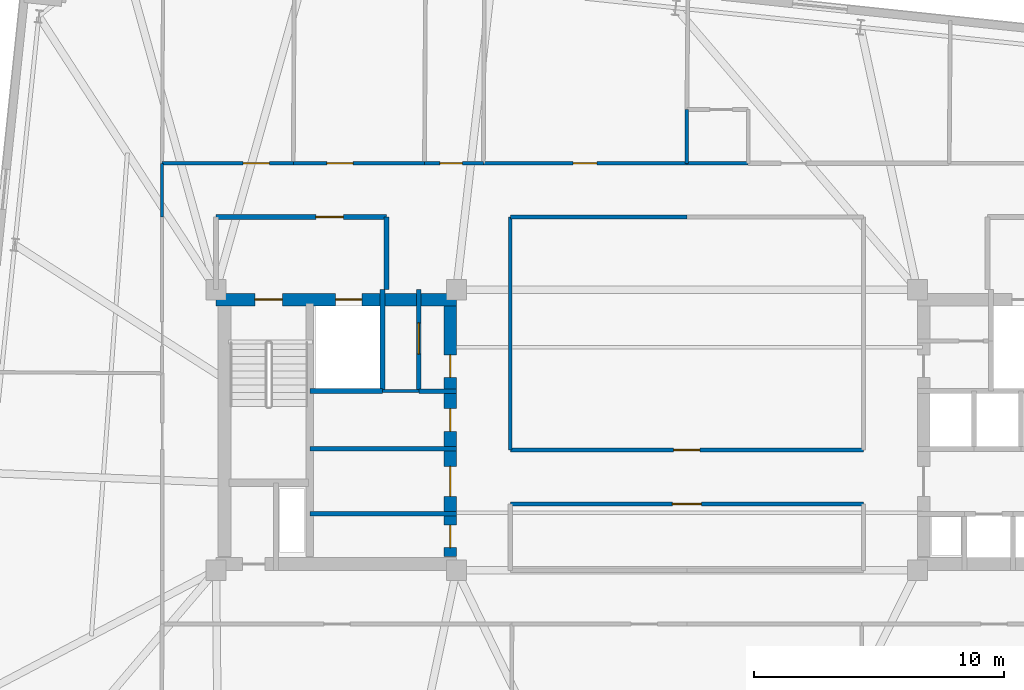
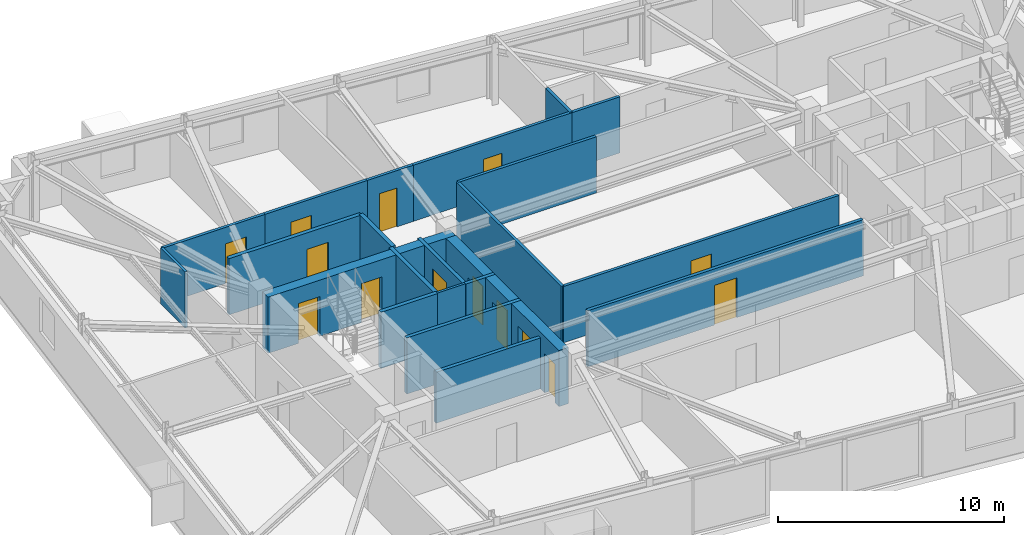
# One storey, part 8 of 13: 22 walls, 14 doors, 14 openings.
"""IFC4 building model written with IfcOpenShell, lengths in metres."""

from ifc_helpers import new_model, si_unit, direction, frame, frame_2d, origin, place, context, subcontext, project, spatial, rectangle, extrude, material, layer, layer_set, type_object, element, fill, save


model = new_model("IFC4")

# Units and contexts
model_context = context("Model", 3, precision=1e-05, world=origin(), true_north=direction((0.0, 1.0)))
body_context = subcontext(model_context, "Body", "Model", "MODEL_VIEW")
ifc_project = project(units=[si_unit("LENGTHUNIT", "METRE"), si_unit("AREAUNIT", "SQUARE_METRE"), si_unit("VOLUMEUNIT", "CUBIC_METRE"), si_unit("PLANEANGLEUNIT", "RADIAN"), si_unit("MASSUNIT", "GRAM", prefix="KILO")], contexts=[model_context])

# Site, building, storey
site_placement = place(None, origin())
site = spatial("IfcSite", under=ifc_project, at=site_placement, CompositionType="ELEMENT")
building_placement = place(site_placement, origin())
building = spatial("IfcBuilding", under=site, at=building_placement, Name="Qobustan Lattice House", CompositionType="ELEMENT")
storey_placement = place(building_placement, frame((0.0, 0.0, 196.39990234375)))
storey = spatial("IfcBuildingStorey", under=building, at=storey_placement, Name="L55", CompositionType="ELEMENT", Elevation=196.39990234375)

# Wall, openings, doors
ifc_material_1 = material(Name="Concrete C50/60", Category="concrete")
ifc_layer_1 = layer(ifc_material_1, 0.5)
ifc_layer_set_1 = layer_set([ifc_layer_1], Name="Concrete C50/60")
wall_type_1 = type_object("IfcWallType", Name="WAL-CORE-500", PredefinedType="SHEAR", material=ifc_layer_set_1)
wall_1_placement = place(storey_placement, frame((-18.800048828125, 5.2099609375, 0.0), z_axis=(0.0, 0.0, 1.0), x_axis=(1.0, 0.0, 0.0)))
wall_1 = element("IfcWall", 1, at=wall_1_placement, inside=storey, type_object=wall_type_1, Name="L55 split-core shear wall CW-N", PredefinedType="SHEAR", context=body_context, shape_type="SweptSolid", body=[
    extrude(rectangle(XDim=9.60009765625, YDim=0.5, at=frame_2d((4.800048828125, 0.0))), origin(), (0.0, 0.0, 1.0), 3.0400390625),
])
opening_1_placement = place(wall_1_placement, frame((1.550048828125, 0.0, 0.0)))
opening_1 = element("IfcOpeningElement", 2, at=opening_1_placement, cuts=wall_1, Name="Opening SD-01", PredefinedType="OPENING", context=body_context, shape_type="SweptSolid", body=[
    extrude(rectangle(XDim=1.10009765625, YDim=2.14990234375, at=frame_2d((0.550048828125, 1.074951171875))), frame((0.0, 0.260009765625, 0.0), z_axis=(0.0, -1.0, 0.0), x_axis=(1.0, 0.0, 0.0)), (0.0, 0.0, 1.0), 0.52001953125),
])
opening_2_placement = place(wall_1_placement, frame((4.77490234375, 0.0, 0.0)))
opening_2 = element("IfcOpeningElement", 3, at=opening_2_placement, cuts=wall_1, Name="Opening LD-01", PredefinedType="OPENING", context=body_context, shape_type="SweptSolid", body=[
    extrude(rectangle(XDim=1.050048828125, YDim=2.10009765625, at=frame_2d((0.52490234375, 1.050048828125))), frame((0.0, 0.260009765625, 0.0), z_axis=(0.0, -1.0, 0.0), x_axis=(1.0, 0.0, 0.0)), (0.0, 0.0, 1.0), 0.52001953125),
])
ifc_material_2 = material(Name="Persian walnut timber and steel frame door", Category="steel")
door_type_1 = type_object("IfcDoorType", Name="DOR-LIFT-LD-1050x2100", OperationType="NOTDEFINED", PredefinedType="DOOR", material=ifc_material_2)
door_1_placement = place(opening_2_placement, origin())
door_1 = element("IfcDoor", 4, at=door_1_placement, inside=storey, type_object=door_type_1, Name="L55 firefighting lift FF-W landing door", OperationType="DOUBLE_DOOR_SLIDING", OverallHeight=2.10009765625, OverallWidth=1.050048828125, PredefinedType="DOOR", context=body_context, shape_type="SweptSolid", body=[
    extrude(rectangle(XDim=1.050048828125, YDim=2.10009765625, at=frame_2d((0.52490234375, 1.050048828125))), frame((0.0, 0.02490234375, 0.0), z_axis=(0.0, -1.0, 0.0), x_axis=(1.0, 0.0, 0.0)), (0.0, 0.0, 1.0), 0.050048828125),
])
fill(opening_2, door_1)
ifc_material_3 = material(Name="Persian walnut timber and steel frame door", Category="steel")
door_type_2 = type_object("IfcDoorType", Name="DOR-STAIR-FD-1100x2150", OperationType="NOTDEFINED", PredefinedType="DOOR", material=ifc_material_3)
door_2_placement = place(opening_1_placement, origin())
door_2 = element("IfcDoor", 5, at=door_2_placement, inside=storey, type_object=door_type_2, Name="L55 exit stair ST-W1 fire door", OperationType="SINGLE_SWING_LEFT", OverallHeight=2.14990234375, OverallWidth=1.10009765625, PredefinedType="DOOR", context=body_context, shape_type="SweptSolid", body=[
    extrude(rectangle(XDim=1.10009765625, YDim=2.14990234375, at=frame_2d((0.550048828125, 1.074951171875))), frame((0.0, 0.02490234375, 0.0), z_axis=(0.0, -1.0, 0.0), x_axis=(1.0, 0.0, 0.0)), (0.0, 0.0, 1.0), 0.050048828125),
])
fill(opening_1, door_2)

wall_2_placement = place(storey_placement, frame((-9.449951171875, -5.050048828125, 0.0), z_axis=(0.0, 0.0, 1.0), x_axis=(0.0, 1.0, 0.0)))
wall_2 = element("IfcWall", 6, at=wall_2_placement, inside=storey, type_object=wall_type_1, Name="L55 split-core shear wall CW-E", PredefinedType="SHEAR", context=body_context, shape_type="SweptSolid", body=[
    extrude(rectangle(XDim=10.10009765625, YDim=0.5, at=frame_2d((5.050048828125, 0.0))), origin(), (0.0, 0.0, 1.0), 3.0400390625),
])
opening_3_placement = place(wall_2_placement, frame((7.14990234375, 0.0, 0.0)))
opening_3 = element("IfcOpeningElement", 7, at=opening_3_placement, cuts=wall_2, Name="Opening RD-01", PredefinedType="OPENING", context=body_context, shape_type="SweptSolid", body=[
    extrude(rectangle(XDim=0.89990234375, YDim=2.10009765625, at=frame_2d((0.449951171875, 1.050048828125))), frame((0.0, 0.260009765625, 0.0), z_axis=(0.0, -1.0, 0.0), x_axis=(1.0, 0.0, 0.0)), (0.0, 0.0, 1.0), 0.52001953125),
])
opening_4_placement = place(wall_2_placement, frame((2.39990234375, 0.0, 0.0)))
opening_4 = element("IfcOpeningElement", 8, at=opening_4_placement, cuts=wall_2, Name="Opening FD-01", PredefinedType="OPENING", context=body_context, shape_type="SweptSolid", body=[
    extrude(rectangle(XDim=1.199951171875, YDim=2.14990234375, at=frame_2d((0.60009765625, 1.074951171875))), frame((0.0, 0.260009765625, 0.0), z_axis=(0.0, -1.0, 0.0), x_axis=(1.0, 0.0, 0.0)), (0.0, 0.0, 1.0), 0.52001953125),
])
opening_5_placement = place(wall_2_placement, frame((0.35009765625, 0.0, 0.0)))
opening_5 = element("IfcOpeningElement", 9, at=opening_5_placement, cuts=wall_2, Name="Opening RD-01", PredefinedType="OPENING", context=body_context, shape_type="SweptSolid", body=[
    extrude(rectangle(XDim=0.89990234375, YDim=2.10009765625, at=frame_2d((0.449951171875, 1.050048828125))), frame((0.0, 0.260009765625, 0.0), z_axis=(0.0, -1.0, 0.0), x_axis=(1.0, 0.0, 0.0)), (0.0, 0.0, 1.0), 0.52001953125),
])
opening_6_placement = place(wall_2_placement, frame((5.0, 0.0, 0.0)))
opening_6 = element("IfcOpeningElement", 10, at=opening_6_placement, cuts=wall_2, Name="Opening RD-01", PredefinedType="OPENING", context=body_context, shape_type="SweptSolid", body=[
    extrude(rectangle(XDim=0.89990234375, YDim=2.10009765625, at=frame_2d((0.449951171875, 1.050048828125))), frame((0.0, 0.260009765625, 0.0), z_axis=(0.0, -1.0, 0.0), x_axis=(1.0, 0.0, 0.0)), (0.0, 0.0, 1.0), 0.52001953125),
])
ifc_material_4 = material(Name="Persian walnut timber and steel frame door", Category="steel")
door_type_3 = type_object("IfcDoorType", Name="DOR-LOBBY-FD-1200x2150", OperationType="NOTDEFINED", PredefinedType="DOOR", material=ifc_material_4)
door_3_placement = place(opening_4_placement, origin())
door_3 = element("IfcDoor", 11, at=door_3_placement, inside=storey, type_object=door_type_3, Name="L55 West core foyer fire door", OperationType="SINGLE_SWING_RIGHT", OverallHeight=2.14990234375, OverallWidth=1.199951171875, PredefinedType="DOOR", context=body_context, shape_type="SweptSolid", body=[
    extrude(rectangle(XDim=1.199951171875, YDim=2.14990234375, at=frame_2d((0.60009765625, 1.074951171875))), frame((0.0, 0.02490234375, 0.0), z_axis=(0.0, -1.0, 0.0), x_axis=(1.0, 0.0, 0.0)), (0.0, 0.0, 1.0), 0.050048828125),
])
fill(opening_4, door_3)
ifc_material_5 = material(Name="Persian walnut timber and steel frame door", Category="steel")
door_type_4 = type_object("IfcDoorType", Name="DOR-RISER-FD-900x2100", OperationType="NOTDEFINED", PredefinedType="DOOR", material=ifc_material_5)
door_4_placement = place(opening_3_placement, origin())
door_4 = element("IfcDoor", 12, at=door_4_placement, inside=storey, type_object=door_type_4, Name="L55 Data comms closet fire door", OperationType="SINGLE_SWING_LEFT", OverallHeight=2.10009765625, OverallWidth=0.89990234375, PredefinedType="DOOR", context=body_context, shape_type="SweptSolid", body=[
    extrude(rectangle(XDim=0.89990234375, YDim=2.10009765625, at=frame_2d((0.449951171875, 1.050048828125))), frame((0.0, 0.02490234375, 0.0), z_axis=(0.0, -1.0, 0.0), x_axis=(1.0, 0.0, 0.0)), (0.0, 0.0, 1.0), 0.050048828125),
])
fill(opening_3, door_4)
door_5_placement = place(opening_5_placement, origin())
door_5 = element("IfcDoor", 13, at=door_5_placement, inside=storey, type_object=door_type_4, Name="L55 Collaborative study lounge fire door", OperationType="SINGLE_SWING_LEFT", OverallHeight=2.10009765625, OverallWidth=0.89990234375, PredefinedType="DOOR", context=body_context, shape_type="SweptSolid", body=[
    extrude(rectangle(XDim=0.89990234375, YDim=2.10009765625, at=frame_2d((0.449951171875, 1.050048828125))), frame((0.0, 0.02490234375, 0.0), z_axis=(0.0, -1.0, 0.0), x_axis=(1.0, 0.0, 0.0)), (0.0, 0.0, 1.0), 0.050048828125),
])
fill(opening_5, door_5)
door_6_placement = place(opening_6_placement, origin())
door_6 = element("IfcDoor", 14, at=door_6_placement, inside=storey, type_object=door_type_4, Name="L55 Focus booth pod fire door", OperationType="SINGLE_SWING_RIGHT", OverallHeight=2.10009765625, OverallWidth=0.89990234375, PredefinedType="DOOR", context=body_context, shape_type="SweptSolid", body=[
    extrude(rectangle(XDim=0.89990234375, YDim=2.10009765625, at=frame_2d((0.449951171875, 1.050048828125))), frame((0.0, 0.02490234375, 0.0), z_axis=(0.0, -1.0, 0.0), x_axis=(1.0, 0.0, 0.0)), (0.0, 0.0, 1.0), 0.050048828125),
])
fill(opening_6, door_6)

# Wall, opening, door
ifc_material_6 = material(Name="Gypsum fireboard acoustic partition", Category="gypsum")
ifc_layer_2 = layer(ifc_material_6, 0.179931640625)
ifc_layer_set_2 = layer_set([ifc_layer_2], Name="Gypsum fireboard acoustic partition")
wall_type_2 = type_object("IfcWallType", Name="WAL-FIRE-180", PredefinedType="PARTITIONING", material=ifc_layer_set_2)
wall_3_placement = place(storey_placement, frame((-10.699951171875, 5.60009765625, 0.0), z_axis=(0.0, 0.0, 1.0), x_axis=(0.0, -1.0, 0.0)))
wall_3 = element("IfcWall", 15, at=wall_3_placement, inside=storey, type_object=wall_type_2, Name="L55 interior partition 6", PredefinedType="PARTITIONING", context=body_context, shape_type="SweptSolid", body=[
    extrude(rectangle(XDim=4.050048828125, YDim=0.179931640625, at=frame_2d((2.02490234375, 0.0))), origin(), (0.0, 0.0, 1.0), 3.0400390625),
])
opening_7_placement = place(wall_3_placement, frame((1.324951171875, 0.0, 0.0)))
opening_7 = element("IfcOpeningElement", 16, at=opening_7_placement, cuts=wall_3, Name="Opening FD-03", PredefinedType="OPENING", context=body_context, shape_type="SweptSolid", body=[
    extrude(rectangle(XDim=1.25, YDim=2.199951171875, at=frame_2d((0.625, 1.10009765625))), frame((0.0, 0.099853515625, 0.0), z_axis=(0.0, -1.0, 0.0), x_axis=(1.0, 0.0, 0.0)), (0.0, 0.0, 1.0), 0.199951171875),
])
ifc_material_7 = material(Name="Persian walnut timber and steel frame door", Category="steel")
door_type_5 = type_object("IfcDoorType", Name="DOR-PLANT-1250x2200", OperationType="NOTDEFINED", PredefinedType="DOOR", material=ifc_material_7)
door_7_placement = place(opening_7_placement, origin())
door_7 = element("IfcDoor", 17, at=door_7_placement, inside=storey, type_object=door_type_5, Name="L55 Data comms closet to Linen store door", OperationType="SINGLE_SWING_RIGHT", OverallHeight=2.199951171875, OverallWidth=1.25, PredefinedType="DOOR", context=body_context, shape_type="SweptSolid", body=[
    extrude(rectangle(XDim=1.25, YDim=2.199951171875, at=frame_2d((0.625, 1.10009765625))), frame((0.0, 0.02490234375, 0.0), z_axis=(0.0, -1.0, 0.0), x_axis=(1.0, 0.0, 0.0)), (0.0, 0.0, 1.0), 0.050048828125),
])
fill(opening_7, door_7)

# Walls
wall_4_placement = place(storey_placement, frame((-10.699951171875, 1.550048828125, 0.0), z_axis=(0.0, 0.0, 1.0), x_axis=(1.0, 0.0, 0.0)))
element("IfcWall", 18, at=wall_4_placement, inside=storey, type_object=wall_type_2, Name="L55 interior partition 7", PredefinedType="PARTITIONING", context=body_context, shape_type="SweptSolid", body=[
    extrude(rectangle(XDim=1.5, YDim=0.179931640625, at=frame_2d((0.75, 0.0))), origin(), (0.0, 0.0, 1.0), 3.0400390625),
])
wall_5_placement = place(storey_placement, frame((-15.050048828125, -3.35009765625, 0.0), z_axis=(0.0, 0.0, 1.0), x_axis=(1.0, 0.0, 0.0)))
element("IfcWall", 19, at=wall_5_placement, inside=storey, type_object=wall_type_2, Name="L55 interior partition 10", PredefinedType="PARTITIONING", context=body_context, shape_type="SweptSolid", body=[
    extrude(rectangle(XDim=5.85009765625, YDim=0.179931640625, at=frame_2d((2.925048828125, 0.0))), origin(), (0.0, 0.0, 1.0), 2.755126953125),
])
wall_6_placement = place(storey_placement, frame((-9.199951171875, -0.75, 0.0), z_axis=(0.0, 0.0, 1.0), x_axis=(-1.0, 0.0, 0.0)))
element("IfcWall", 20, at=wall_6_placement, inside=storey, type_object=wall_type_2, Name="L55 interior partition 11", PredefinedType="PARTITIONING", context=body_context, shape_type="SweptSolid", body=[
    extrude(rectangle(XDim=5.85009765625, YDim=0.179931640625, at=frame_2d((2.925048828125, 0.0))), origin(), (0.0, 0.0, 1.0), 3.0400390625),
])
ifc_material_8 = material(Name="Lightweight acoustic stud partition", Category="gypsum")
ifc_layer_3 = layer(ifc_material_8, 0.125)
ifc_layer_set_3 = layer_set([ifc_layer_3], Name="Lightweight acoustic stud partition")
wall_type_3 = type_object("IfcWallType", Name="WAL-PART-125", PredefinedType="PARTITIONING", material=ifc_layer_set_3)
wall_7_placement = place(storey_placement, frame((-12.14990234375, 1.550048828125, 0.0), z_axis=(0.0, 0.0, 1.0), x_axis=(1.0, 0.0, 0.0)))
element("IfcWall", 21, at=wall_7_placement, inside=storey, type_object=wall_type_3, Name="L55 interior partition 9", PredefinedType="PARTITIONING", context=body_context, shape_type="SweptSolid", body=[
    extrude(rectangle(XDim=1.449951171875, YDim=0.125, at=frame_2d((0.72509765625, 0.0))), origin(), (0.0, 0.0, 1.0), 3.0400390625),
])
wall_8_placement = place(storey_placement, frame((-20.949951171875, 8.5, 0.0), z_axis=(0.0, 0.0, 1.0), x_axis=(0.0, 1.0, 0.0)))
element("IfcWall", 22, at=wall_8_placement, inside=storey, type_object=wall_type_3, Name="L55 interior partition 34", PredefinedType="PARTITIONING", context=body_context, shape_type="SweptSolid", body=[
    extrude(rectangle(XDim=2.14990234375, YDim=0.125, at=frame_2d((1.074951171875, 0.0))), origin(), (0.0, 0.0, 1.0), 3.0400390625),
])

# Wall, opening, door
ifc_material_9 = material(Name="Acoustic twin-stud gypsum partition", Category="gypsum")
ifc_layer_4 = layer(ifc_material_9, 0.14990234375)
ifc_layer_set_4 = layer_set([ifc_layer_4], Name="Acoustic twin-stud gypsum partition")
wall_type_4 = type_object("IfcWallType", Name="WAL-PART-150", PredefinedType="PARTITIONING", material=ifc_layer_set_4)
wall_9_placement = place(storey_placement, frame((-20.949951171875, 10.64990234375, 0.0), z_axis=(0.0, 0.0, 1.0), x_axis=(1.0, 0.0, 0.0)))
wall_9 = element("IfcWall", 23, at=wall_9_placement, inside=storey, type_object=wall_type_4, Name="L55 interior partition 35", PredefinedType="PARTITIONING", context=body_context, shape_type="SweptSolid", body=[
    extrude(rectangle(XDim=5.237548828125, YDim=0.14990234375, at=frame_2d((2.61865234375, 0.0))), origin(), (0.0, 0.0, 1.0), 3.0400390625),
])
opening_8_placement = place(wall_9_placement, frame((3.22900390625, 0.0, 0.0)))
opening_8 = element("IfcOpeningElement", 24, at=opening_8_placement, cuts=wall_9, Name="Opening ID-02", PredefinedType="OPENING", context=body_context, shape_type="SweptSolid", body=[
    extrude(rectangle(XDim=1.050048828125, YDim=2.14990234375, at=frame_2d((0.52490234375, 1.074951171875))), frame((0.0, 0.0849609375, 0.0), z_axis=(0.0, -1.0, 0.0), x_axis=(1.0, 0.0, 0.0)), (0.0, 0.0, 1.0), 0.169921875),
])
ifc_material_10 = material(Name="Persian walnut timber and steel frame door", Category="steel")
door_type_6 = type_object("IfcDoorType", Name="DOR-STUDY-1050x2150", OperationType="NOTDEFINED", PredefinedType="DOOR", material=ifc_material_10)
door_8_placement = place(opening_8_placement, origin())
door_8 = element("IfcDoor", 25, at=door_8_placement, inside=storey, type_object=door_type_6, Name="L55 North-west floor corridor to Focus study room N1A door", OperationType="SINGLE_SWING_LEFT", OverallHeight=2.14990234375, OverallWidth=1.050048828125, PredefinedType="DOOR", context=body_context, shape_type="SweptSolid", body=[
    extrude(rectangle(XDim=1.050048828125, YDim=2.14990234375, at=frame_2d((0.52490234375, 1.074951171875))), frame((0.0, 0.02490234375, 0.0), z_axis=(0.0, -1.0, 0.0), x_axis=(1.0, 0.0, 0.0)), (0.0, 0.0, 1.0), 0.050048828125),
])
fill(opening_8, door_8)

wall_10_placement = place(storey_placement, frame((-15.71240234375, 10.64990234375, 0.0), z_axis=(0.0, 0.0, 1.0), x_axis=(1.0, 0.0, 0.0)))
wall_10 = element("IfcWall", 26, at=wall_10_placement, inside=storey, type_object=wall_type_4, Name="L55 interior partition 36", PredefinedType="PARTITIONING", context=body_context, shape_type="SweptSolid", body=[
    extrude(rectangle(XDim=5.2373046875, YDim=0.14990234375, at=frame_2d((2.61865234375, 0.0))), origin(), (0.0, 0.0, 1.0), 3.0400390625),
])
opening_9_placement = place(wall_10_placement, frame((1.3369140625, 0.0, 0.0)))
opening_9 = element("IfcOpeningElement", 27, at=opening_9_placement, cuts=wall_10, Name="Opening ID-02", PredefinedType="OPENING", context=body_context, shape_type="SweptSolid", body=[
    extrude(rectangle(XDim=1.050048828125, YDim=2.14990234375, at=frame_2d((0.52490234375, 1.074951171875))), frame((0.0, 0.0849609375, 0.0), z_axis=(0.0, -1.0, 0.0), x_axis=(1.0, 0.0, 0.0)), (0.0, 0.0, 1.0), 0.169921875),
])
door_9_placement = place(opening_9_placement, origin())
door_9 = element("IfcDoor", 28, at=door_9_placement, inside=storey, type_object=door_type_6, Name="L55 North-west floor corridor to Focus study room N1B door", OperationType="SINGLE_SWING_RIGHT", OverallHeight=2.14990234375, OverallWidth=1.050048828125, PredefinedType="DOOR", context=body_context, shape_type="SweptSolid", body=[
    extrude(rectangle(XDim=1.050048828125, YDim=2.14990234375, at=frame_2d((0.52490234375, 1.074951171875))), frame((0.0, 0.02490234375, 0.0), z_axis=(0.0, -1.0, 0.0), x_axis=(1.0, 0.0, 0.0)), (0.0, 0.0, 1.0), 0.050048828125),
])
fill(opening_9, door_9)

wall_11_placement = place(storey_placement, frame((-8.125, 10.64990234375, 0.0), z_axis=(0.0, 0.0, 1.0), x_axis=(1.0, 0.0, 0.0)))
wall_11 = element("IfcWall", 29, at=wall_11_placement, inside=storey, type_object=wall_type_4, Name="L55 interior partition 38", PredefinedType="PARTITIONING", context=body_context, shape_type="SweptSolid", body=[
    extrude(rectangle(XDim=8.125, YDim=0.14990234375, at=frame_2d((4.0625, 0.0))), origin(), (0.0, 0.0, 1.0), 3.0400390625),
])
opening_10_placement = place(wall_11_placement, frame((3.58740234375, 0.0, 0.0)))
opening_10 = element("IfcOpeningElement", 30, at=opening_10_placement, cuts=wall_11, Name="Opening ID-01", PredefinedType="OPENING", context=body_context, shape_type="SweptSolid", body=[
    extrude(rectangle(XDim=0.949951171875, YDim=2.10009765625, at=frame_2d((0.47509765625, 1.050048828125))), frame((0.0, 0.0849609375, 0.0), z_axis=(0.0, -1.0, 0.0), x_axis=(1.0, 0.0, 0.0)), (0.0, 0.0, 1.0), 0.169921875),
])
ifc_material_11 = material(Name="Persian walnut timber and steel frame door", Category="steel")
door_type_7 = type_object("IfcDoorType", Name="DOR-ROOM-950x2100", OperationType="NOTDEFINED", PredefinedType="DOOR", material=ifc_material_11)
door_10_placement = place(opening_10_placement, origin())
door_10 = element("IfcDoor", 31, at=door_10_placement, inside=storey, type_object=door_type_7, Name="L55 North-west floor corridor to Laundry utility room door", OperationType="SINGLE_SWING_RIGHT", OverallHeight=2.10009765625, OverallWidth=0.949951171875, PredefinedType="DOOR", context=body_context, shape_type="SweptSolid", body=[
    extrude(rectangle(XDim=0.949951171875, YDim=2.10009765625, at=frame_2d((0.47509765625, 1.050048828125))), frame((0.0, 0.02490234375, 0.0), z_axis=(0.0, -1.0, 0.0), x_axis=(1.0, 0.0, 0.0)), (0.0, 0.0, 1.0), 0.050048828125),
])
fill(opening_10, door_10)

# Wall
wall_12_placement = place(storey_placement, frame((0.0, 8.5, 0.0), z_axis=(0.0, 0.0, 1.0), x_axis=(-1.0, 0.0, 0.0)))
element("IfcWall", 32, at=wall_12_placement, inside=storey, type_object=wall_type_4, Name="L55 interior partition 39", PredefinedType="PARTITIONING", context=body_context, shape_type="SweptSolid", body=[
    extrude(rectangle(XDim=7.050048828125, YDim=0.14990234375, at=frame_2d((3.52490234375, 0.0))), origin(), (0.0, 0.0, 1.0), 3.0400390625),
])

# Wall, opening, door
wall_13_placement = place(storey_placement, frame((-7.050048828125, -0.800048828125, 0.0), z_axis=(0.0, 0.0, 1.0), x_axis=(1.0, 0.0, 0.0)))
wall_13 = element("IfcWall", 33, at=wall_13_placement, inside=storey, type_object=wall_type_4, Name="L55 interior partition 58", PredefinedType="PARTITIONING", context=body_context, shape_type="SweptSolid", body=[
    extrude(rectangle(XDim=14.10009765625, YDim=0.14990234375, at=frame_2d((7.050048828125, 0.0))), origin(), (0.0, 0.0, 1.0), 3.0400390625),
])
opening_11_placement = place(wall_13_placement, frame((6.52490234375, 0.0, 0.0)))
opening_11 = element("IfcOpeningElement", 34, at=opening_11_placement, cuts=wall_13, Name="Opening ID-02", PredefinedType="OPENING", context=body_context, shape_type="SweptSolid", body=[
    extrude(rectangle(XDim=1.050048828125, YDim=2.14990234375, at=frame_2d((0.52490234375, 1.074951171875))), frame((0.0, 0.0849609375, 0.0), z_axis=(0.0, -1.0, 0.0), x_axis=(1.0, 0.0, 0.0)), (0.0, 0.0, 1.0), 0.169921875),
])
door_11_placement = place(opening_11_placement, origin())
door_11 = element("IfcDoor", 35, at=door_11_placement, inside=storey, type_object=door_type_6, Name="L55 Central spine corridor to Central study commons door", OperationType="SINGLE_SWING_LEFT", OverallHeight=2.14990234375, OverallWidth=1.050048828125, PredefinedType="DOOR", context=body_context, shape_type="SweptSolid", body=[
    extrude(rectangle(XDim=1.050048828125, YDim=2.14990234375, at=frame_2d((0.52490234375, 1.074951171875))), frame((0.0, 0.02490234375, 0.0), z_axis=(0.0, -1.0, 0.0), x_axis=(1.0, 0.0, 0.0)), (0.0, 0.0, 1.0), 0.050048828125),
])
fill(opening_11, door_11)

# Wall
wall_14_placement = place(storey_placement, frame((-7.050048828125, 8.5, 0.0), z_axis=(0.0, 0.0, 1.0), x_axis=(0.0, -1.0, 0.0)))
element("IfcWall", 36, at=wall_14_placement, inside=storey, type_object=wall_type_4, Name="L55 interior partition 60", PredefinedType="PARTITIONING", context=body_context, shape_type="SweptSolid", body=[
    extrude(rectangle(XDim=9.300048828125, YDim=0.14990234375, at=frame_2d((4.64990234375, 0.0))), origin(), (0.0, 0.0, 1.0), 3.0400390625),
])

# Wall, opening, door
ifc_material_12 = material(Name="High-mass acoustic twin-stud partition", Category="gypsum")
ifc_layer_5 = layer(ifc_material_12, 0.1650390625)
ifc_layer_set_5 = layer_set([ifc_layer_5], Name="High-mass acoustic twin-stud partition")
wall_type_5 = type_object("IfcWallType", Name="WAL-PART-165", PredefinedType="PARTITIONING", material=ifc_layer_set_5)
wall_15_placement = place(storey_placement, frame((7.050048828125, -2.949951171875, 0.0), z_axis=(0.0, 0.0, 1.0), x_axis=(-1.0, 0.0, 0.0)))
wall_15 = element("IfcWall", 37, at=wall_15_placement, inside=storey, type_object=wall_type_5, Name="L55 interior partition 59", PredefinedType="PARTITIONING", context=body_context, shape_type="SweptSolid", body=[
    extrude(rectangle(XDim=14.10009765625, YDim=0.1650390625, at=frame_2d((7.050048828125, 0.0))), origin(), (0.0, 0.0, 1.0), 3.0400390625),
])
opening_12_placement = place(wall_15_placement, frame((6.47509765625, 0.0, 0.0)))
opening_12 = element("IfcOpeningElement", 38, at=opening_12_placement, cuts=wall_15, Name="Opening ID-03", PredefinedType="OPENING", context=body_context, shape_type="SweptSolid", body=[
    extrude(rectangle(XDim=1.14990234375, YDim=2.14990234375, at=frame_2d((0.574951171875, 1.074951171875))), frame((0.0, 0.092529296875, 0.0), z_axis=(0.0, -1.0, 0.0), x_axis=(1.0, 0.0, 0.0)), (0.0, 0.0, 1.0), 0.18505859375),
])
ifc_material_13 = material(Name="Persian walnut timber and steel frame door", Category="steel")
door_type_8 = type_object("IfcDoorType", Name="DOR-KITCH-1150x2150", OperationType="NOTDEFINED", PredefinedType="DOOR", material=ifc_material_13)
door_12_placement = place(opening_12_placement, origin())
door_12 = element("IfcDoor", 39, at=door_12_placement, inside=storey, type_object=door_type_8, Name="L55 Central spine corridor to Shared kitchen and tea room door", OperationType="SINGLE_SWING_RIGHT", OverallHeight=2.14990234375, OverallWidth=1.14990234375, PredefinedType="DOOR", context=body_context, shape_type="SweptSolid", body=[
    extrude(rectangle(XDim=1.14990234375, YDim=2.14990234375, at=frame_2d((0.574951171875, 1.074951171875))), frame((0.0, 0.02490234375, 0.0), z_axis=(0.0, -1.0, 0.0), x_axis=(1.0, 0.0, 0.0)), (0.0, 0.0, 1.0), 0.050048828125),
])
fill(opening_12, door_12)

ifc_material_14 = material(Name="Two-hour gypsum fireboard acoustic partition", Category="gypsum")
ifc_layer_6 = layer(ifc_material_14, 0.199951171875)
ifc_layer_set_6 = layer_set([ifc_layer_6], Name="Two-hour gypsum fireboard acoustic partition")
wall_type_6 = type_object("IfcWallType", Name="WAL-PROT-200", PredefinedType="PARTITIONING", material=ifc_layer_set_6)
wall_16_placement = place(storey_placement, frame((-12.0, 8.5, 0.0), z_axis=(0.0, 0.0, 1.0), x_axis=(-1.0, 0.0, 0.0)))
wall_16 = element("IfcWall", 40, at=wall_16_placement, inside=storey, type_object=wall_type_6, Name="L55 interior partition 3", PredefinedType="PARTITIONING", context=body_context, shape_type="SweptSolid", body=[
    extrude(rectangle(XDim=6.800048828125, YDim=0.199951171875, at=frame_2d((3.39990234375, 0.0))), origin(), (0.0, 0.0, 1.0), 3.0400390625),
])
opening_13_placement = place(wall_16_placement, frame((1.715087890625, 0.0, 0.0)))
opening_13 = element("IfcOpeningElement", 41, at=opening_13_placement, cuts=wall_16, Name="Opening SD-01", PredefinedType="OPENING", context=body_context, shape_type="SweptSolid", body=[
    extrude(rectangle(XDim=1.10009765625, YDim=2.14990234375, at=frame_2d((0.550048828125, 1.074951171875))), frame((0.0, 0.10986328125, 0.0), z_axis=(0.0, -1.0, 0.0), x_axis=(1.0, 0.0, 0.0)), (0.0, 0.0, 1.0), 0.219970703125),
])
door_13_placement = place(opening_13_placement, origin())
door_13 = element("IfcDoor", 42, at=door_13_placement, inside=storey, type_object=door_type_2, Name="L55 West firefighting lift lobby to North-west floor corridor door", OperationType="SINGLE_SWING_LEFT", OverallHeight=2.14990234375, OverallWidth=1.10009765625, PredefinedType="DOOR", context=body_context, shape_type="SweptSolid", body=[
    extrude(rectangle(XDim=1.10009765625, YDim=2.14990234375, at=frame_2d((0.550048828125, 1.074951171875))), frame((0.0, 0.02490234375, 0.0), z_axis=(0.0, -1.0, 0.0), x_axis=(1.0, 0.0, 0.0)), (0.0, 0.0, 1.0), 0.050048828125),
])
fill(opening_13, door_13)

# Walls
wall_17_placement = place(storey_placement, frame((-12.0, 5.60009765625, 0.0), z_axis=(0.0, 0.0, 1.0), x_axis=(0.0, 1.0, 0.0)))
element("IfcWall", 43, at=wall_17_placement, inside=storey, type_object=wall_type_6, Name="L55 interior partition 5", PredefinedType="PARTITIONING", context=body_context, shape_type="SweptSolid", body=[
    extrude(rectangle(XDim=2.89990234375, YDim=0.199951171875, at=frame_2d((1.449951171875, 0.0))), origin(), (0.0, 0.0, 1.0), 3.0400390625),
])
ifc_material_15 = material(Name="Concrete C40/50", Category="concrete")
ifc_layer_7 = layer(ifc_material_15, 0.199951171875)
ifc_layer_set_7 = layer_set([ifc_layer_7], Name="Concrete C40/50")
wall_type_7 = type_object("IfcWallType", Name="WAL-SHAFT-200", PredefinedType="PARTITIONING", material=ifc_layer_set_7)
wall_18_placement = place(storey_placement, frame((-12.14990234375, 1.550048828125, 0.0), z_axis=(0.0, 0.0, 1.0), x_axis=(0.0, 1.0, 0.0)))
element("IfcWall", 44, at=wall_18_placement, inside=storey, type_object=wall_type_7, Name="L55 interior partition 2", PredefinedType="PARTITIONING", context=body_context, shape_type="SweptSolid", body=[
    extrude(rectangle(XDim=4.050048828125, YDim=0.199951171875, at=frame_2d((2.02490234375, 0.0))), origin(), (0.0, 0.0, 1.0), 3.0400390625),
])
wall_19_placement = place(storey_placement, frame((-15.050048828125, 1.550048828125, 0.0), z_axis=(0.0, 0.0, 1.0), x_axis=(1.0, 0.0, 0.0)))
element("IfcWall", 45, at=wall_19_placement, inside=storey, type_object=wall_type_7, Name="L55 interior partition 81", PredefinedType="PARTITIONING", context=body_context, shape_type="SweptSolid", body=[
    extrude(rectangle(XDim=2.900146484375, YDim=0.199951171875, at=frame_2d((1.4501953125, 0.0))), origin(), (0.0, 0.0, 1.0), 3.0400390625),
])

# Wall, opening, door
ifc_material_16 = material(Name="Moisture-resistant acoustic plumbing wall", Category="gypsum")
ifc_layer_8 = layer(ifc_material_16, 0.14990234375)
ifc_layer_set_8 = layer_set([ifc_layer_8], Name="Moisture-resistant acoustic plumbing wall")
wall_type_8 = type_object("IfcWallType", Name="WAL-WET-150", PredefinedType="PLUMBINGWALL", material=ifc_layer_set_8)
wall_20_placement = place(storey_placement, frame((-10.47509765625, 10.64990234375, 0.0), z_axis=(0.0, 0.0, 1.0), x_axis=(1.0, 0.0, 0.0)))
wall_20 = element("IfcWall", 46, at=wall_20_placement, inside=storey, type_object=wall_type_8, Name="L55 interior partition 37", PredefinedType="PLUMBINGWALL", context=body_context, shape_type="SweptSolid", body=[
    extrude(rectangle(XDim=2.35009765625, YDim=0.14990234375, at=frame_2d((1.175048828125, 0.0))), origin(), (0.0, 0.0, 1.0), 3.0400390625),
])
opening_14_placement = place(wall_20_placement, frame((0.6162109375, 0.0, 0.0)))
opening_14 = element("IfcOpeningElement", 47, at=opening_14_placement, cuts=wall_20, Name="Opening WD-01", PredefinedType="OPENING", context=body_context, shape_type="SweptSolid", body=[
    extrude(rectangle(XDim=0.89990234375, YDim=2.10009765625, at=frame_2d((0.449951171875, 1.050048828125))), frame((0.0, 0.0849609375, 0.0), z_axis=(0.0, -1.0, 0.0), x_axis=(1.0, 0.0, 0.0)), (0.0, 0.0, 1.0), 0.169921875),
])
ifc_material_17 = material(Name="Persian walnut timber and steel frame door", Category="steel")
door_type_9 = type_object("IfcDoorType", Name="DOR-WET-900x2100", OperationType="NOTDEFINED", PredefinedType="DOOR", material=ifc_material_17)
door_14_placement = place(opening_14_placement, origin())
door_14 = element("IfcDoor", 48, at=door_14_placement, inside=storey, type_object=door_type_9, Name="L55 North-west floor corridor to Accessible WC door", OperationType="SINGLE_SWING_LEFT", OverallHeight=2.10009765625, OverallWidth=0.89990234375, PredefinedType="DOOR", context=body_context, shape_type="SweptSolid", body=[
    extrude(rectangle(XDim=0.89990234375, YDim=2.10009765625, at=frame_2d((0.449951171875, 1.050048828125))), frame((0.0, 0.02490234375, 0.0), z_axis=(0.0, -1.0, 0.0), x_axis=(1.0, 0.0, 0.0)), (0.0, 0.0, 1.0), 0.050048828125),
])
fill(opening_14, door_14)

# Walls
wall_21_placement = place(storey_placement, frame((0.0, 10.64990234375, 0.0), z_axis=(0.0, 0.0, 1.0), x_axis=(1.0, 0.0, 0.0)))
element("IfcWall", 49, at=wall_21_placement, inside=storey, type_object=wall_type_8, Name="L55 interior partition 42", PredefinedType="PLUMBINGWALL", context=body_context, shape_type="SweptSolid", body=[
    extrude(rectangle(XDim=2.449951171875, YDim=0.14990234375, at=frame_2d((1.22509765625, 0.0))), origin(), (0.0, 0.0, 1.0), 3.0400390625),
])
wall_22_placement = place(storey_placement, frame((0.0, 12.800048828125, 0.0), z_axis=(0.0, 0.0, 1.0), x_axis=(0.0, -1.0, 0.0)))
element("IfcWall", 50, at=wall_22_placement, inside=storey, type_object=wall_type_8, Name="L55 interior partition 74", PredefinedType="PLUMBINGWALL", context=body_context, shape_type="SweptSolid", body=[
    extrude(rectangle(XDim=2.150146484375, YDim=0.14990234375, at=frame_2d((1.0751953125, 0.0))), origin(), (0.0, 0.0, 1.0), 3.0400390625),
])

save(model, "model.ifc")
